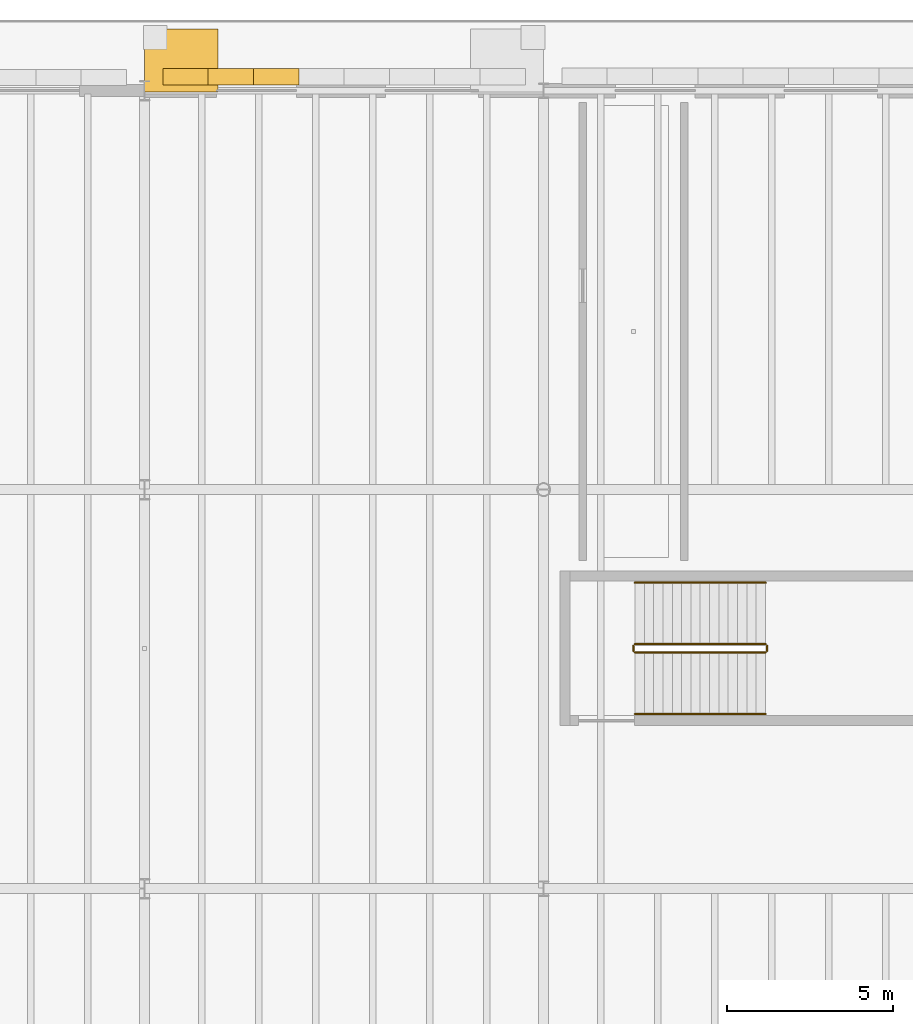
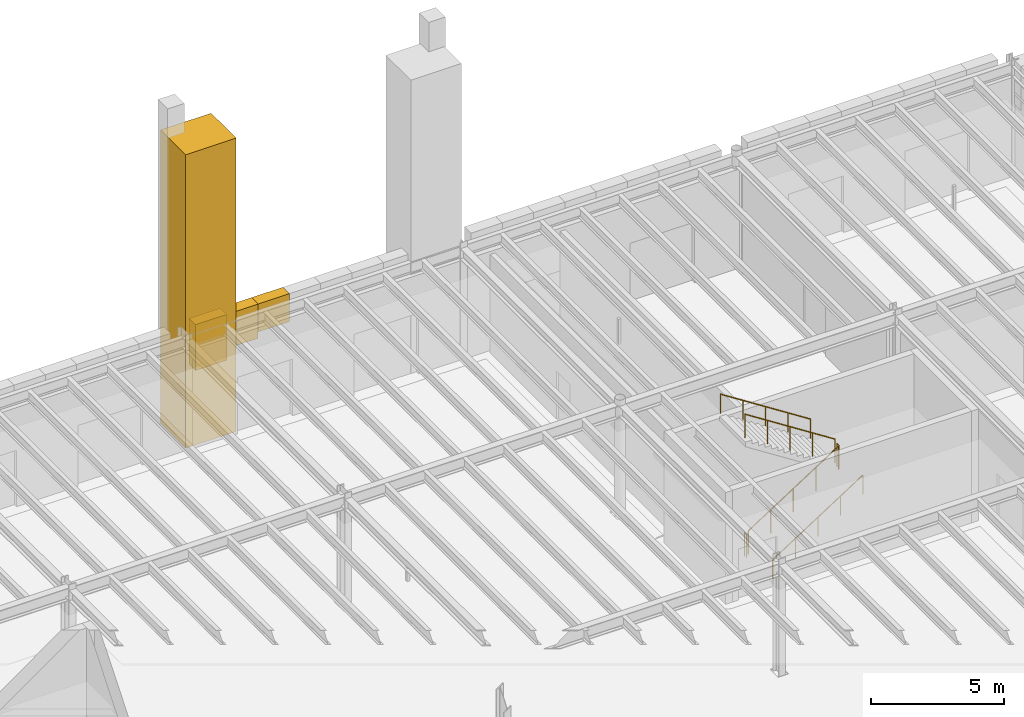
# One storey, part 81 of 103: 6 railings, 4 coverings.
"""IFC4 building model written with IfcOpenShell, lengths in metres."""

from ifc_helpers import new_model, si_unit, direction, frame, origin, origin_2d, place, context, subcontext, project, spatial, polyline, circle, outline, extrude, material, layer, layer_set, type_object, element, save


model = new_model("IFC4")

# Units and contexts
model_context = context("Model", 3, precision=1e-05, world=origin(), true_north=direction((0.0, 1.0)))
body_context = subcontext(model_context, "Body", "Model", "MODEL_VIEW")
ifc_project = project(units=[si_unit("LENGTHUNIT", "METRE"), si_unit("AREAUNIT", "SQUARE_METRE"), si_unit("VOLUMEUNIT", "CUBIC_METRE"), si_unit("PLANEANGLEUNIT", "RADIAN"), si_unit("MASSUNIT", "GRAM", prefix="KILO")], contexts=[model_context])

# Site, building, storey
site_placement = place(None, origin())
site = spatial("IfcSite", under=ifc_project, at=site_placement, CompositionType="ELEMENT")
building_placement = place(site_placement, origin())
building = spatial("IfcBuilding", under=site, at=building_placement, Name="Zlatogorsky Bluff Art Gallery", CompositionType="ELEMENT")
storey_placement = place(building_placement, origin())
storey = spatial("IfcBuildingStorey", under=building, at=storey_placement, Name="L00", CompositionType="ELEMENT", Elevation=0.0)

# Coverings
ifc_material_1 = material(Name="Honed Red Agra-Tone Quartzitic Sandstone", Category="masonry")
ifc_layer = layer(ifc_material_1, 0.1201171875)
ifc_layer_set = layer_set([ifc_layer], Name="Carved Sandstone Cladding CLD-02")
covering_type = type_object("IfcCoveringType", Name="Carved Sandstone Cladding CLD-02", PredefinedType="CLADDING", material=ifc_layer_set)
covering_1_placement = place(storey_placement, frame((0.0, 0.0, 3.25244140625)))
element("IfcCovering", 1, at=covering_1_placement, inside=storey, type_object=covering_type, Name="Pointed Mughal arch voussoir spandrel WARCH-L00-N-02-10-A.1", PredefinedType="CLADDING", context=body_context, shape_type="SweptSolid", body=[
    extrude(outline(polyline([(24.550048828125, 120.169921875), (25.91259765625, 120.169921875), (25.91259765625, 120.659912109375), (24.550048828125, 120.659912109375), (24.550048828125, 120.169921875)])), origin(), (0.0, 0.0, 1.0), 2.107666015625),
])
covering_2_placement = place(storey_placement, frame((0.0, 0.0, 3.78369140625)))
element("IfcCovering", 2, at=covering_2_placement, inside=storey, type_object=covering_type, Name="Pointed Mughal arch voussoir spandrel WARCH-L00-N-02-10-A.2", PredefinedType="CLADDING", context=body_context, shape_type="SweptSolid", body=[
    extrude(outline(polyline([(25.91259765625, 120.169921875), (27.27490234375, 120.169921875), (27.27490234375, 120.659912109375), (25.91259765625, 120.659912109375), (25.91259765625, 120.169921875)])), origin(), (0.0, 0.0, 1.0), 1.576416015625),
])
covering_3_placement = place(storey_placement, frame((0.0, 0.0, 4.07666015625)))
element("IfcCovering", 3, at=covering_3_placement, inside=storey, type_object=covering_type, Name="Pointed Mughal arch voussoir spandrel WARCH-L00-N-02-10-A.3", PredefinedType="CLADDING", context=body_context, shape_type="SweptSolid", body=[
    extrude(outline(polyline([(27.27490234375, 120.169921875), (28.637451171875, 120.169921875), (28.637451171875, 120.659912109375), (27.27490234375, 120.659912109375), (27.27490234375, 120.169921875)])), origin(), (0.0, 0.0, 1.0), 1.283447265625),
])
covering_4_placement = place(storey_placement, origin())
element("IfcCovering", 4, at=covering_4_placement, inside=storey, type_object=covering_type, Name="Monumental Pishtaq portal pier PISHTAQ-N-MAIN.L", PredefinedType="CLADDING", context=body_context, shape_type="SweptSolid", body=[
    extrude(outline(polyline([(24.0, 119.9599609375), (26.199951171875, 119.9599609375), (26.199951171875, 121.85009765625), (24.0, 121.85009765625), (24.0, 119.9599609375)])), origin(), (0.0, 0.0, 1.0), 13.5),
])

# Railings
ifc_material_2 = material(Name="Architectural Bronze and Laminated Glass", Category="glass")
railing_type_1 = type_object("IfcRailingType", Name="Gallery Guard Rail 1100mm", PredefinedType="GUARDRAIL", material=ifc_material_2)
railing_1_placement = place(storey_placement, frame((38.75, 103.10009765625, 0.179931640625)))
element("IfcRailing", 5, at=railing_1_placement, inside=storey, type_object=railing_type_1, Name="L00 ST-07 stair guard 1", PredefinedType="GUARDRAIL", context=body_context, shape_type="SweptSolid", body=[
    extrude(circle(Radius=0.02392578125, at=origin_2d()), frame((0.0, 0.0, 1.076171875), z_axis=(0.841171666519, 0.0, 0.540768182723), x_axis=(0.0, 1.0, 0.0)), (0.0, 0.0, 1.0), 4.66015625),
    extrude(circle(Radius=0.02099609375, at=origin_2d()), origin(), (0.0, 0.0, 1.0), 1.052001953125),
    extrude(circle(Radius=0.02099609375, at=origin_2d()), frame((0.97998046875, 0.0, 0.6298828125)), (0.0, 0.0, 1.0), 1.052001953125),
    extrude(circle(Radius=0.02099609375, at=origin_2d()), frame((1.9599609375, 0.0, 1.260009765625)), (0.0, 0.0, 1.0), 1.052001953125),
    extrude(circle(Radius=0.02099609375, at=origin_2d()), frame((2.93994140625, 0.0, 1.89013671875)), (0.0, 0.0, 1.0), 1.052001953125),
    extrude(circle(Radius=0.02099609375, at=origin_2d()), frame((3.919921875, 0.0, 2.52001953125)), (0.0, 0.0, 1.0), 1.052001953125),
])
railing_2_placement = place(storey_placement, frame((42.719970703125, 103.14990234375, 2.699951171875)))
element("IfcRailing", 6, at=railing_2_placement, inside=storey, type_object=railing_type_1, Name="L00 ST-07 stair guard 2", PredefinedType="GUARDRAIL", context=body_context, shape_type="SweptSolid", body=[
    extrude(circle(Radius=0.02392578125, at=origin_2d()), frame((0.0, 0.0, 1.076171875), z_axis=(0.0, 1.0, 0.0), x_axis=(-1.0, 0.0, 0.0)), (0.0, 0.0, 1.0), 0.150146484375),
    extrude(circle(Radius=0.02099609375, at=origin_2d()), origin(), (0.0, 0.0, 1.0), 1.052001953125),
    extrude(circle(Radius=0.02099609375, at=origin_2d()), frame((0.0, 0.150146484375, 0.0)), (0.0, 0.0, 1.0), 1.052001953125),
])
railing_3_placement = place(storey_placement, frame((42.669921875, 103.35009765625, 2.8798828125)))
element("IfcRailing", 7, at=railing_3_placement, inside=storey, type_object=railing_type_1, Name="L00 ST-07 stair guard 3", PredefinedType="GUARDRAIL", context=body_context, shape_type="SweptSolid", body=[
    extrude(circle(Radius=0.02392578125, at=origin_2d()), frame((0.0, 0.0, 1.076171875), z_axis=(-0.841171666519, 0.0, 0.540768182723), x_axis=(0.0, -1.0, 0.0)), (0.0, 0.0, 1.0), 4.66015625),
    extrude(circle(Radius=0.02099609375, at=origin_2d()), origin(), (0.0, 0.0, 1.0), 1.052001953125),
    extrude(circle(Radius=0.02099609375, at=origin_2d()), frame((-0.97998046875, 0.0, 0.6298828125)), (0.0, 0.0, 1.0), 1.052001953125),
    extrude(circle(Radius=0.02099609375, at=origin_2d()), frame((-1.9599609375, 0.0, 1.260009765625)), (0.0, 0.0, 1.0), 1.052001953125),
    extrude(circle(Radius=0.02099609375, at=origin_2d()), frame((-2.93994140625, 0.0, 1.89013671875)), (0.0, 0.0, 1.0), 1.052001953125),
    extrude(circle(Radius=0.02099609375, at=origin_2d()), frame((-3.919921875, 0.0, 2.52001953125)), (0.0, 0.0, 1.0), 1.052001953125),
])
railing_4_placement = place(storey_placement, frame((38.699951171875, 103.14990234375, 0.0)))
element("IfcRailing", 8, at=railing_4_placement, inside=storey, type_object=railing_type_1, Name="L00 ST-07 stair guard 4", PredefinedType="GUARDRAIL", context=body_context, shape_type="SweptSolid", body=[
    extrude(circle(Radius=0.02392578125, at=origin_2d()), frame((0.0, 0.0, 1.076171875), z_axis=(0.0, 1.0, 0.0), x_axis=(-1.0, 0.0, 0.0)), (0.0, 0.0, 1.0), 0.150146484375),
    extrude(circle(Radius=0.02099609375, at=origin_2d()), origin(), (0.0, 0.0, 1.0), 1.052001953125),
    extrude(circle(Radius=0.02099609375, at=origin_2d()), frame((0.0, 0.150146484375, 0.0)), (0.0, 0.0, 1.0), 1.052001953125),
])
ifc_material_3 = material(Name="Brushed Stainless Steel", Category="steel")
railing_type_2 = type_object("IfcRailingType", Name="Stair Pitch Handrail 900mm", PredefinedType="HANDRAIL", material=ifc_material_3)
railing_5_placement = place(storey_placement, frame((38.75, 101.25, 0.179931640625)))
element("IfcRailing", 9, at=railing_5_placement, inside=storey, type_object=railing_type_2, Name="L00 ST-07 stair handrail 1", PredefinedType="HANDRAIL", context=body_context, shape_type="SweptSolid", body=[
    extrude(circle(Radius=0.02392578125, at=origin_2d()), frame((0.0, 0.0, 0.8759765625), z_axis=(0.841171666519, 0.0, 0.540768182723), x_axis=(0.0, 1.0, 0.0)), (0.0, 0.0, 1.0), 4.66015625),
    extrude(circle(Radius=0.02099609375, at=origin_2d()), origin(), (0.0, 0.0, 1.0), 0.851806640625),
    extrude(circle(Radius=0.02099609375, at=origin_2d()), frame((0.97998046875, 0.0, 0.6298828125)), (0.0, 0.0, 1.0), 0.851806640625),
    extrude(circle(Radius=0.02099609375, at=origin_2d()), frame((1.9599609375, 0.0, 1.260009765625)), (0.0, 0.0, 1.0), 0.851806640625),
    extrude(circle(Radius=0.02099609375, at=origin_2d()), frame((2.93994140625, 0.0, 1.89013671875)), (0.0, 0.0, 1.0), 0.851806640625),
    extrude(circle(Radius=0.02099609375, at=origin_2d()), frame((3.919921875, 0.0, 2.52001953125)), (0.0, 0.0, 1.0), 0.851806640625),
])
railing_6_placement = place(storey_placement, frame((42.669921875, 105.199951171875, 2.8798828125)))
element("IfcRailing", 10, at=railing_6_placement, inside=storey, type_object=railing_type_2, Name="L00 ST-07 stair handrail 2", PredefinedType="HANDRAIL", context=body_context, shape_type="SweptSolid", body=[
    extrude(circle(Radius=0.02392578125, at=origin_2d()), frame((0.0, 0.0, 0.8759765625), z_axis=(-0.841171666519, 0.0, 0.540768182723), x_axis=(0.0, -1.0, 0.0)), (0.0, 0.0, 1.0), 4.66015625),
    extrude(circle(Radius=0.02099609375, at=origin_2d()), origin(), (0.0, 0.0, 1.0), 0.851806640625),
    extrude(circle(Radius=0.02099609375, at=origin_2d()), frame((-0.97998046875, 0.0, 0.6298828125)), (0.0, 0.0, 1.0), 0.851806640625),
    extrude(circle(Radius=0.02099609375, at=origin_2d()), frame((-1.9599609375, 0.0, 1.260009765625)), (0.0, 0.0, 1.0), 0.851806640625),
    extrude(circle(Radius=0.02099609375, at=origin_2d()), frame((-2.93994140625, 0.0, 1.89013671875)), (0.0, 0.0, 1.0), 0.851806640625),
    extrude(circle(Radius=0.02099609375, at=origin_2d()), frame((-3.919921875, 0.0, 2.52001953125)), (0.0, 0.0, 1.0), 0.851806640625),
])

save(model, "model.ifc")
